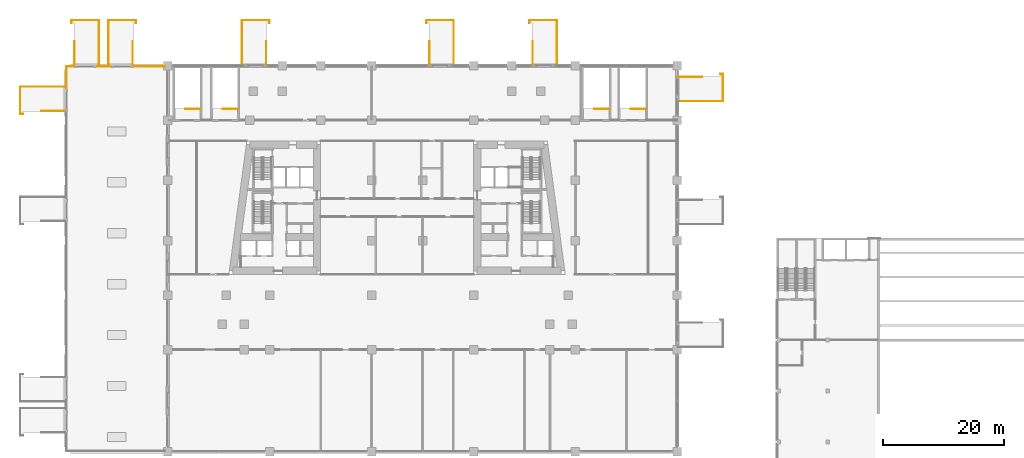
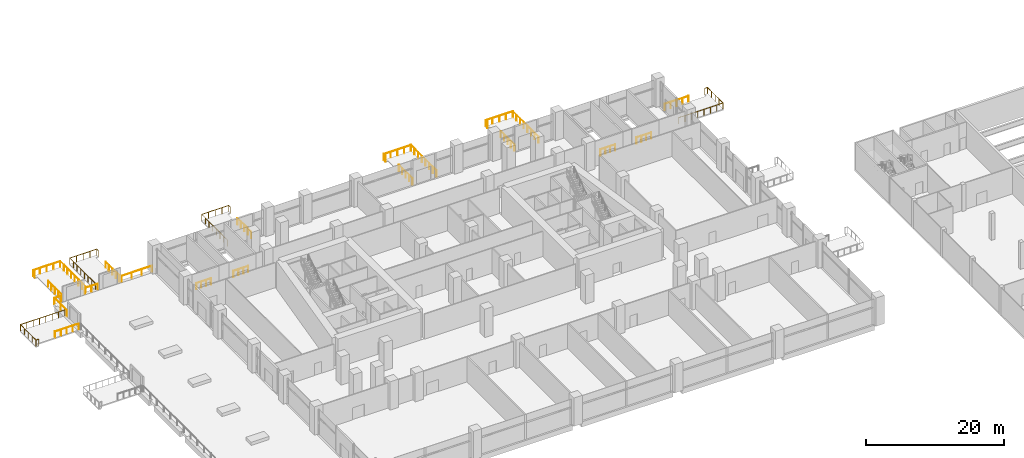
# One storey, part 31 of 33: 21 railings.
"""IFC4 building model written with IfcOpenShell, lengths in metres."""

from ifc_helpers import new_model, si_unit, direction, frame, origin, origin_2d, place, context, subcontext, project, spatial, circle, extrude, material, type_object, element, save


model = new_model("IFC4")

# Units and contexts
model_context = context("Model", 3, precision=1e-05, world=origin(), true_north=direction((0.0, 1.0)))
body_context = subcontext(model_context, "Body", "Model", "MODEL_VIEW")
ifc_project = project(units=[si_unit("LENGTHUNIT", "METRE"), si_unit("AREAUNIT", "SQUARE_METRE"), si_unit("VOLUMEUNIT", "CUBIC_METRE"), si_unit("PLANEANGLEUNIT", "RADIAN"), si_unit("MASSUNIT", "GRAM", prefix="KILO")], contexts=[model_context])

# Site, building, storey
site_placement = place(None, origin())
site = spatial("IfcSite", under=ifc_project, at=site_placement, CompositionType="ELEMENT")
building_placement = place(site_placement, origin())
building = spatial("IfcBuilding", under=site, at=building_placement, Name="Candeia Pilgrim Tower and Theatre", CompositionType="ELEMENT")
storey_placement = place(building_placement, frame((0.0, 0.0, 29.0)))
storey = spatial("IfcBuildingStorey", under=building, at=storey_placement, Name="L04", CompositionType="ELEMENT", Elevation=29.0)

# Railings
ifc_material = material(Name="Stainless steel balustrade", Category="steel")
railing_type_1 = type_object("IfcRailingType", Name="G1 loggia guard 1100", PredefinedType="GUARDRAIL", material=ifc_material)
railing_1_placement = place(storey_placement, frame((58.919921875, 141.10009765625, 0.0)))
element("IfcRailing", 1, at=railing_1_placement, inside=storey, type_object=railing_type_1, Name="Terrace guard L04.5", PredefinedType="GUARDRAIL", context=body_context, shape_type="SweptSolid", body=[
    extrude(circle(Radius=0.02392578125, at=origin_2d()), frame((0.0, 0.0, 1.076171875), z_axis=(0.0, 1.0, 0.0), x_axis=(-1.0, 0.0, 0.0)), (0.0, 0.0, 1.0), 3.579833984375),
    extrude(circle(Radius=0.02392578125, at=origin_2d()), frame((0.0, 3.579833984375, 1.076171875), z_axis=(1.0, 0.0, 0.0), x_axis=(0.0, 1.0, 0.0)), (0.0, 0.0, 1.0), 1.080078125),
    extrude(circle(Radius=0.02099609375, at=origin_2d()), origin(), (0.0, 0.0, 1.0), 1.052001953125),
    extrude(circle(Radius=0.02099609375, at=origin_2d()), frame((0.0, 1.7900390625, 0.0)), (0.0, 0.0, 1.0), 1.052001953125),
    extrude(circle(Radius=0.02099609375, at=origin_2d()), frame((0.0, 3.579833984375, 0.0)), (0.0, 0.0, 1.0), 1.052001953125),
    extrude(circle(Radius=0.02099609375, at=origin_2d()), frame((1.080078125, 3.579833984375, 0.0)), (0.0, 0.0, 1.0), 1.052001953125),
])
railing_2_placement = place(storey_placement, frame((64.0, 144.679931640625, 0.0)))
element("IfcRailing", 2, at=railing_2_placement, inside=storey, type_object=railing_type_1, Name="Terrace guard L04.6", PredefinedType="GUARDRAIL", context=body_context, shape_type="SweptSolid", body=[
    extrude(circle(Radius=0.02392578125, at=origin_2d()), frame((0.0, 0.0, 1.076171875), z_axis=(1.0, 0.0, 0.0), x_axis=(0.0, 1.0, 0.0)), (0.0, 0.0, 1.0), 2.10009765625),
    extrude(circle(Radius=0.02099609375, at=origin_2d()), origin(), (0.0, 0.0, 1.0), 1.052001953125),
    extrude(circle(Radius=0.02099609375, at=origin_2d()), frame((1.050048828125, 0.0, 0.0)), (0.0, 0.0, 1.0), 1.052001953125),
    extrude(circle(Radius=0.02099609375, at=origin_2d()), frame((2.10009765625, 0.0, 0.0)), (0.0, 0.0, 1.0), 1.052001953125),
])
railing_3_placement = place(storey_placement, frame((70.10009765625, 144.679931640625, 0.0)))
element("IfcRailing", 3, at=railing_3_placement, inside=storey, type_object=railing_type_1, Name="Terrace guard L04.7", PredefinedType="GUARDRAIL", context=body_context, shape_type="SweptSolid", body=[
    extrude(circle(Radius=0.02392578125, at=origin_2d()), frame((0.0, 0.0, 1.076171875), z_axis=(1.0, 0.0, 0.0), x_axis=(0.0, 1.0, 0.0)), (0.0, 0.0, 1.0), 5.0498046875),
    extrude(circle(Radius=0.02099609375, at=origin_2d()), origin(), (0.0, 0.0, 1.0), 1.052001953125),
    extrude(circle(Radius=0.02099609375, at=origin_2d()), frame((1.683349609375, 0.0, 0.0)), (0.0, 0.0, 1.0), 1.052001953125),
    extrude(circle(Radius=0.02099609375, at=origin_2d()), frame((3.366455078125, 0.0, 0.0)), (0.0, 0.0, 1.0), 1.052001953125),
    extrude(circle(Radius=0.02099609375, at=origin_2d()), frame((5.0498046875, 0.0, 0.0)), (0.0, 0.0, 1.0), 1.052001953125),
])
railing_type_2 = type_object("IfcRailingType", Name="RL-GUARD-1100", PredefinedType="GUARDRAIL", material=ifc_material)
railing_4_placement = place(storey_placement, frame((80.97509765625, 137.675048828125, 0.0)))
element("IfcRailing", 4, at=railing_4_placement, inside=storey, type_object=railing_type_2, Name="L04 PS1 top well guard 1", PredefinedType="GUARDRAIL", context=body_context, shape_type="SweptSolid", body=[
    extrude(circle(Radius=0.02392578125, at=origin_2d()), frame((0.0, 0.0, 1.076171875), z_axis=(-1.0, 0.0, 0.0), x_axis=(0.0, -1.0, 0.0)), (0.0, 0.0, 1.0), 2.4501953125),
    extrude(circle(Radius=0.02099609375, at=origin_2d()), origin(), (0.0, 0.0, 1.0), 1.052001953125),
    extrude(circle(Radius=0.02099609375, at=origin_2d()), frame((-0.816650390625, 0.0, 0.0)), (0.0, 0.0, 1.0), 1.052001953125),
    extrude(circle(Radius=0.02099609375, at=origin_2d()), frame((-1.633544921875, 0.0, 0.0)), (0.0, 0.0, 1.0), 1.052001953125),
    extrude(circle(Radius=0.02099609375, at=origin_2d()), frame((-2.4501953125, 0.0, 0.0)), (0.0, 0.0, 1.0), 1.052001953125),
])
for number, where, name in (
    (5, (87.175048828125, 137.675048828125, 0.0), "L04 PS2 top well guard 1"),
    (6, (148.375, 137.675048828125, 0.0), "L04 PS3 top well guard 1"),
    (7, (154.375, 137.675048828125, 0.0), "L04 PS4 top well guard 1"),
):
    element("IfcRailing", number, at=place(storey_placement, frame(where)), inside=storey, type_object=railing_type_2, Name=name, PredefinedType="GUARDRAIL", context=body_context, shape_type="SweptSolid", body=[
        extrude(circle(Radius=0.02392578125, at=origin_2d()), frame((0.0, 0.0, 1.076171875), z_axis=(-1.0, 0.0, 0.0), x_axis=(0.0, -1.0, 0.0)), (0.0, 0.0, 1.0), 2.449951171875),
        extrude(circle(Radius=0.02099609375, at=origin_2d()), origin(), (0.0, 0.0, 1.0), 1.052001953125),
        extrude(circle(Radius=0.02099609375, at=origin_2d()), frame((-0.816650390625, 0.0, 0.0)), (0.0, 0.0, 1.0), 1.052001953125),
        extrude(circle(Radius=0.02099609375, at=origin_2d()), frame((-1.63330078125, 0.0, 0.0)), (0.0, 0.0, 1.0), 1.052001953125),
        extrude(circle(Radius=0.02099609375, at=origin_2d()), frame((-2.449951171875, 0.0, 0.0)), (0.0, 0.0, 1.0), 1.052001953125),
    ])
railing_5_placement = place(storey_placement, frame((159.699951171875, 138.949951171875, 0.0)))
element("IfcRailing", 8, at=railing_5_placement, inside=storey, type_object=railing_type_2, Name="L04 External escape stair ES2 landing guard", PredefinedType="GUARDRAIL", context=body_context, shape_type="SweptSolid", body=[
    extrude(circle(Radius=0.02392578125, at=origin_2d()), frame((0.0, 0.0, 1.076171875), z_axis=(1.0, 0.0, 0.0), x_axis=(0.0, 1.0, 0.0)), (0.0, 0.0, 1.0), 7.400146484375),
    extrude(circle(Radius=0.02392578125, at=origin_2d()), frame((7.400146484375, 0.0, 1.076171875), z_axis=(0.0, 1.0, 0.0), x_axis=(-1.0, 0.0, 0.0)), (0.0, 0.0, 1.0), 4.5),
    extrude(circle(Radius=0.02392578125, at=origin_2d()), frame((7.400146484375, 4.5, 1.076171875), z_axis=(-1.0, 0.0, 0.0), x_axis=(0.0, -1.0, 0.0)), (0.0, 0.0, 1.0), 0.4501953125),
    extrude(circle(Radius=0.02099609375, at=origin_2d()), origin(), (0.0, 0.0, 1.0), 1.052001953125),
    extrude(circle(Radius=0.02099609375, at=origin_2d()), frame((1.05712890625, 0.0, 0.0)), (0.0, 0.0, 1.0), 1.052001953125),
    extrude(circle(Radius=0.02099609375, at=origin_2d()), frame((2.1142578125, 0.0, 0.0)), (0.0, 0.0, 1.0), 1.052001953125),
    extrude(circle(Radius=0.02099609375, at=origin_2d()), frame((3.17138671875, 0.0, 0.0)), (0.0, 0.0, 1.0), 1.052001953125),
    extrude(circle(Radius=0.02099609375, at=origin_2d()), frame((4.228759765625, 0.0, 0.0)), (0.0, 0.0, 1.0), 1.052001953125),
    extrude(circle(Radius=0.02099609375, at=origin_2d()), frame((5.285888671875, 0.0, 0.0)), (0.0, 0.0, 1.0), 1.052001953125),
    extrude(circle(Radius=0.02099609375, at=origin_2d()), frame((6.343017578125, 0.0, 0.0)), (0.0, 0.0, 1.0), 1.052001953125),
    extrude(circle(Radius=0.02099609375, at=origin_2d()), frame((7.400146484375, 0.0, 0.0)), (0.0, 0.0, 1.0), 1.052001953125),
    extrude(circle(Radius=0.02099609375, at=origin_2d()), frame((7.400146484375, 1.125, 0.0)), (0.0, 0.0, 1.0), 1.052001953125),
    extrude(circle(Radius=0.02099609375, at=origin_2d()), frame((7.400146484375, 2.25, 0.0)), (0.0, 0.0, 1.0), 1.052001953125),
    extrude(circle(Radius=0.02099609375, at=origin_2d()), frame((7.400146484375, 3.375, 0.0)), (0.0, 0.0, 1.0), 1.052001953125),
    extrude(circle(Radius=0.02099609375, at=origin_2d()), frame((7.400146484375, 4.5, 0.0)), (0.0, 0.0, 1.0), 1.052001953125),
    extrude(circle(Radius=0.02099609375, at=origin_2d()), frame((6.949951171875, 4.5, 0.0)), (0.0, 0.0, 1.0), 1.052001953125),
])
railing_6_placement = place(storey_placement, frame((159.699951171875, 142.949951171875, 0.0)))
element("IfcRailing", 9, at=railing_6_placement, inside=storey, type_object=railing_type_2, Name="L04 External escape stair ES2 top guard", PredefinedType="GUARDRAIL", context=body_context, shape_type="SweptSolid", body=[
    extrude(circle(Radius=0.02392578125, at=origin_2d()), frame((0.0, 0.0, 1.076171875), z_axis=(1.0, 0.0, 0.0), x_axis=(0.0, 1.0, 0.0)), (0.0, 0.0, 1.0), 3.949951171875),
    extrude(circle(Radius=0.02099609375, at=origin_2d()), origin(), (0.0, 0.0, 1.0), 1.052001953125),
    extrude(circle(Radius=0.02099609375, at=origin_2d()), frame((0.987548828125, 0.0, 0.0)), (0.0, 0.0, 1.0), 1.052001953125),
    extrude(circle(Radius=0.02099609375, at=origin_2d()), frame((1.97509765625, 0.0, 0.0)), (0.0, 0.0, 1.0), 1.052001953125),
    extrude(circle(Radius=0.02099609375, at=origin_2d()), frame((2.96240234375, 0.0, 0.0)), (0.0, 0.0, 1.0), 1.052001953125),
    extrude(circle(Radius=0.02099609375, at=origin_2d()), frame((3.949951171875, 0.0, 0.0)), (0.0, 0.0, 1.0), 1.052001953125),
])
railing_7_placement = place(storey_placement, frame((64.25, 144.89990234375, 0.0)))
element("IfcRailing", 10, at=railing_7_placement, inside=storey, type_object=railing_type_2, Name="L04 External escape stair ES3 landing guard", PredefinedType="GUARDRAIL", context=body_context, shape_type="SweptSolid", body=[
    extrude(circle(Radius=0.02392578125, at=origin_2d()), frame((0.0, 0.0, 1.076171875), z_axis=(0.0, 1.0, 0.0), x_axis=(-1.0, 0.0, 0.0)), (0.0, 0.0, 1.0), 7.400146484375),
    extrude(circle(Radius=0.02392578125, at=origin_2d()), frame((0.0, 7.400146484375, 1.076171875), z_axis=(-1.0, 0.0, 0.0), x_axis=(0.0, -1.0, 0.0)), (0.0, 0.0, 1.0), 4.5),
    extrude(circle(Radius=0.02392578125, at=origin_2d()), frame((-4.5, 7.400146484375, 1.076171875), z_axis=(0.0, -1.0, 0.0), x_axis=(1.0, 0.0, 0.0)), (0.0, 0.0, 1.0), 0.449951171875),
    extrude(circle(Radius=0.02099609375, at=origin_2d()), origin(), (0.0, 0.0, 1.0), 1.052001953125),
    extrude(circle(Radius=0.02099609375, at=origin_2d()), frame((0.0, 1.05712890625, 0.0)), (0.0, 0.0, 1.0), 1.052001953125),
    extrude(circle(Radius=0.02099609375, at=origin_2d()), frame((0.0, 2.1142578125, 0.0)), (0.0, 0.0, 1.0), 1.052001953125),
    extrude(circle(Radius=0.02099609375, at=origin_2d()), frame((0.0, 3.17138671875, 0.0)), (0.0, 0.0, 1.0), 1.052001953125),
    extrude(circle(Radius=0.02099609375, at=origin_2d()), frame((0.0, 4.228759765625, 0.0)), (0.0, 0.0, 1.0), 1.052001953125),
    extrude(circle(Radius=0.02099609375, at=origin_2d()), frame((0.0, 5.285888671875, 0.0)), (0.0, 0.0, 1.0), 1.052001953125),
    extrude(circle(Radius=0.02099609375, at=origin_2d()), frame((0.0, 6.343017578125, 0.0)), (0.0, 0.0, 1.0), 1.052001953125),
    extrude(circle(Radius=0.02099609375, at=origin_2d()), frame((0.0, 7.400146484375, 0.0)), (0.0, 0.0, 1.0), 1.052001953125),
    extrude(circle(Radius=0.02099609375, at=origin_2d()), frame((-1.125, 7.400146484375, 0.0)), (0.0, 0.0, 1.0), 1.052001953125),
    extrude(circle(Radius=0.02099609375, at=origin_2d()), frame((-2.25, 7.400146484375, 0.0)), (0.0, 0.0, 1.0), 1.052001953125),
    extrude(circle(Radius=0.02099609375, at=origin_2d()), frame((-3.375, 7.400146484375, 0.0)), (0.0, 0.0, 1.0), 1.052001953125),
    extrude(circle(Radius=0.02099609375, at=origin_2d()), frame((-4.5, 7.400146484375, 0.0)), (0.0, 0.0, 1.0), 1.052001953125),
    extrude(circle(Radius=0.02099609375, at=origin_2d()), frame((-4.5, 6.9501953125, 0.0)), (0.0, 0.0, 1.0), 1.052001953125),
])
railing_8_placement = place(storey_placement, frame((60.25, 144.89990234375, 0.0)))
element("IfcRailing", 11, at=railing_8_placement, inside=storey, type_object=railing_type_2, Name="L04 External escape stair ES3 top guard", PredefinedType="GUARDRAIL", context=body_context, shape_type="SweptSolid", body=[
    extrude(circle(Radius=0.02392578125, at=origin_2d()), frame((0.0, 0.0, 1.076171875), z_axis=(0.0, 1.0, 0.0), x_axis=(-1.0, 0.0, 0.0)), (0.0, 0.0, 1.0), 3.9501953125),
    extrude(circle(Radius=0.02099609375, at=origin_2d()), origin(), (0.0, 0.0, 1.0), 1.052001953125),
    extrude(circle(Radius=0.02099609375, at=origin_2d()), frame((0.0, 0.987548828125, 0.0)), (0.0, 0.0, 1.0), 1.052001953125),
    extrude(circle(Radius=0.02099609375, at=origin_2d()), frame((0.0, 1.97509765625, 0.0)), (0.0, 0.0, 1.0), 1.052001953125),
    extrude(circle(Radius=0.02099609375, at=origin_2d()), frame((0.0, 2.962646484375, 0.0)), (0.0, 0.0, 1.0), 1.052001953125),
    extrude(circle(Radius=0.02099609375, at=origin_2d()), frame((0.0, 3.9501953125, 0.0)), (0.0, 0.0, 1.0), 1.052001953125),
])
railing_9_placement = place(storey_placement, frame((65.85009765625, 144.89990234375, 0.0)))
element("IfcRailing", 12, at=railing_9_placement, inside=storey, type_object=railing_type_2, Name="L04 External escape stair ES4 landing guard", PredefinedType="GUARDRAIL", context=body_context, shape_type="SweptSolid", body=[
    extrude(circle(Radius=0.02392578125, at=origin_2d()), frame((0.0, 0.0, 1.076171875), z_axis=(0.0, 1.0, 0.0), x_axis=(-1.0, 0.0, 0.0)), (0.0, 0.0, 1.0), 7.400146484375),
    extrude(circle(Radius=0.02392578125, at=origin_2d()), frame((0.0, 7.400146484375, 1.076171875), z_axis=(1.0, 0.0, 0.0), x_axis=(0.0, 1.0, 0.0)), (0.0, 0.0, 1.0), 4.5),
    extrude(circle(Radius=0.02392578125, at=origin_2d()), frame((4.5, 7.400146484375, 1.076171875), z_axis=(0.0, -1.0, 0.0), x_axis=(1.0, 0.0, 0.0)), (0.0, 0.0, 1.0), 0.449951171875),
    extrude(circle(Radius=0.02099609375, at=origin_2d()), origin(), (0.0, 0.0, 1.0), 1.052001953125),
    extrude(circle(Radius=0.02099609375, at=origin_2d()), frame((0.0, 1.05712890625, 0.0)), (0.0, 0.0, 1.0), 1.052001953125),
    extrude(circle(Radius=0.02099609375, at=origin_2d()), frame((0.0, 2.1142578125, 0.0)), (0.0, 0.0, 1.0), 1.052001953125),
    extrude(circle(Radius=0.02099609375, at=origin_2d()), frame((0.0, 3.17138671875, 0.0)), (0.0, 0.0, 1.0), 1.052001953125),
    extrude(circle(Radius=0.02099609375, at=origin_2d()), frame((0.0, 4.228759765625, 0.0)), (0.0, 0.0, 1.0), 1.052001953125),
    extrude(circle(Radius=0.02099609375, at=origin_2d()), frame((0.0, 5.285888671875, 0.0)), (0.0, 0.0, 1.0), 1.052001953125),
    extrude(circle(Radius=0.02099609375, at=origin_2d()), frame((0.0, 6.343017578125, 0.0)), (0.0, 0.0, 1.0), 1.052001953125),
    extrude(circle(Radius=0.02099609375, at=origin_2d()), frame((0.0, 7.400146484375, 0.0)), (0.0, 0.0, 1.0), 1.052001953125),
    extrude(circle(Radius=0.02099609375, at=origin_2d()), frame((1.125, 7.400146484375, 0.0)), (0.0, 0.0, 1.0), 1.052001953125),
    extrude(circle(Radius=0.02099609375, at=origin_2d()), frame((2.25, 7.400146484375, 0.0)), (0.0, 0.0, 1.0), 1.052001953125),
    extrude(circle(Radius=0.02099609375, at=origin_2d()), frame((3.375, 7.400146484375, 0.0)), (0.0, 0.0, 1.0), 1.052001953125),
    extrude(circle(Radius=0.02099609375, at=origin_2d()), frame((4.5, 7.400146484375, 0.0)), (0.0, 0.0, 1.0), 1.052001953125),
    extrude(circle(Radius=0.02099609375, at=origin_2d()), frame((4.5, 6.9501953125, 0.0)), (0.0, 0.0, 1.0), 1.052001953125),
])
railing_10_placement = place(storey_placement, frame((69.85009765625, 144.89990234375, 0.0)))
element("IfcRailing", 13, at=railing_10_placement, inside=storey, type_object=railing_type_2, Name="L04 External escape stair ES4 top guard", PredefinedType="GUARDRAIL", context=body_context, shape_type="SweptSolid", body=[
    extrude(circle(Radius=0.02392578125, at=origin_2d()), frame((0.0, 0.0, 1.076171875), z_axis=(0.0, 1.0, 0.0), x_axis=(-1.0, 0.0, 0.0)), (0.0, 0.0, 1.0), 3.9501953125),
    extrude(circle(Radius=0.02099609375, at=origin_2d()), origin(), (0.0, 0.0, 1.0), 1.052001953125),
    extrude(circle(Radius=0.02099609375, at=origin_2d()), frame((0.0, 0.987548828125, 0.0)), (0.0, 0.0, 1.0), 1.052001953125),
    extrude(circle(Radius=0.02099609375, at=origin_2d()), frame((0.0, 1.97509765625, 0.0)), (0.0, 0.0, 1.0), 1.052001953125),
    extrude(circle(Radius=0.02099609375, at=origin_2d()), frame((0.0, 2.962646484375, 0.0)), (0.0, 0.0, 1.0), 1.052001953125),
    extrude(circle(Radius=0.02099609375, at=origin_2d()), frame((0.0, 3.9501953125, 0.0)), (0.0, 0.0, 1.0), 1.052001953125),
])
railing_11_placement = place(storey_placement, frame((87.85009765625, 144.89990234375, 0.0)))
element("IfcRailing", 14, at=railing_11_placement, inside=storey, type_object=railing_type_2, Name="L04 External escape stair ES5 landing guard", PredefinedType="GUARDRAIL", context=body_context, shape_type="SweptSolid", body=[
    extrude(circle(Radius=0.02392578125, at=origin_2d()), frame((0.0, 0.0, 1.076171875), z_axis=(0.0, 1.0, 0.0), x_axis=(-1.0, 0.0, 0.0)), (0.0, 0.0, 1.0), 7.400146484375),
    extrude(circle(Radius=0.02392578125, at=origin_2d()), frame((0.0, 7.400146484375, 1.076171875), z_axis=(1.0, 0.0, 0.0), x_axis=(0.0, 1.0, 0.0)), (0.0, 0.0, 1.0), 4.5),
    extrude(circle(Radius=0.02392578125, at=origin_2d()), frame((4.5, 7.400146484375, 1.076171875), z_axis=(0.0, -1.0, 0.0), x_axis=(1.0, 0.0, 0.0)), (0.0, 0.0, 1.0), 0.449951171875),
    extrude(circle(Radius=0.02099609375, at=origin_2d()), origin(), (0.0, 0.0, 1.0), 1.052001953125),
    extrude(circle(Radius=0.02099609375, at=origin_2d()), frame((0.0, 1.05712890625, 0.0)), (0.0, 0.0, 1.0), 1.052001953125),
    extrude(circle(Radius=0.02099609375, at=origin_2d()), frame((0.0, 2.1142578125, 0.0)), (0.0, 0.0, 1.0), 1.052001953125),
    extrude(circle(Radius=0.02099609375, at=origin_2d()), frame((0.0, 3.17138671875, 0.0)), (0.0, 0.0, 1.0), 1.052001953125),
    extrude(circle(Radius=0.02099609375, at=origin_2d()), frame((0.0, 4.228759765625, 0.0)), (0.0, 0.0, 1.0), 1.052001953125),
    extrude(circle(Radius=0.02099609375, at=origin_2d()), frame((0.0, 5.285888671875, 0.0)), (0.0, 0.0, 1.0), 1.052001953125),
    extrude(circle(Radius=0.02099609375, at=origin_2d()), frame((0.0, 6.343017578125, 0.0)), (0.0, 0.0, 1.0), 1.052001953125),
    extrude(circle(Radius=0.02099609375, at=origin_2d()), frame((0.0, 7.400146484375, 0.0)), (0.0, 0.0, 1.0), 1.052001953125),
    extrude(circle(Radius=0.02099609375, at=origin_2d()), frame((1.125, 7.400146484375, 0.0)), (0.0, 0.0, 1.0), 1.052001953125),
    extrude(circle(Radius=0.02099609375, at=origin_2d()), frame((2.25, 7.400146484375, 0.0)), (0.0, 0.0, 1.0), 1.052001953125),
    extrude(circle(Radius=0.02099609375, at=origin_2d()), frame((3.375, 7.400146484375, 0.0)), (0.0, 0.0, 1.0), 1.052001953125),
    extrude(circle(Radius=0.02099609375, at=origin_2d()), frame((4.5, 7.400146484375, 0.0)), (0.0, 0.0, 1.0), 1.052001953125),
    extrude(circle(Radius=0.02099609375, at=origin_2d()), frame((4.5, 6.9501953125, 0.0)), (0.0, 0.0, 1.0), 1.052001953125),
])
railing_12_placement = place(storey_placement, frame((91.85009765625, 144.89990234375, 0.0)))
element("IfcRailing", 15, at=railing_12_placement, inside=storey, type_object=railing_type_2, Name="L04 External escape stair ES5 top guard", PredefinedType="GUARDRAIL", context=body_context, shape_type="SweptSolid", body=[
    extrude(circle(Radius=0.02392578125, at=origin_2d()), frame((0.0, 0.0, 1.076171875), z_axis=(0.0, 1.0, 0.0), x_axis=(-1.0, 0.0, 0.0)), (0.0, 0.0, 1.0), 3.9501953125),
    extrude(circle(Radius=0.02099609375, at=origin_2d()), origin(), (0.0, 0.0, 1.0), 1.052001953125),
    extrude(circle(Radius=0.02099609375, at=origin_2d()), frame((0.0, 0.987548828125, 0.0)), (0.0, 0.0, 1.0), 1.052001953125),
    extrude(circle(Radius=0.02099609375, at=origin_2d()), frame((0.0, 1.97509765625, 0.0)), (0.0, 0.0, 1.0), 1.052001953125),
    extrude(circle(Radius=0.02099609375, at=origin_2d()), frame((0.0, 2.962646484375, 0.0)), (0.0, 0.0, 1.0), 1.052001953125),
    extrude(circle(Radius=0.02099609375, at=origin_2d()), frame((0.0, 3.9501953125, 0.0)), (0.0, 0.0, 1.0), 1.052001953125),
])
railing_13_placement = place(storey_placement, frame((122.75, 144.89990234375, 0.0)))
element("IfcRailing", 16, at=railing_13_placement, inside=storey, type_object=railing_type_2, Name="L04 External escape stair ES6 landing guard", PredefinedType="GUARDRAIL", context=body_context, shape_type="SweptSolid", body=[
    extrude(circle(Radius=0.02392578125, at=origin_2d()), frame((0.0, 0.0, 1.076171875), z_axis=(0.0, 1.0, 0.0), x_axis=(-1.0, 0.0, 0.0)), (0.0, 0.0, 1.0), 7.400146484375),
    extrude(circle(Radius=0.02392578125, at=origin_2d()), frame((0.0, 7.400146484375, 1.076171875), z_axis=(-1.0, 0.0, 0.0), x_axis=(0.0, -1.0, 0.0)), (0.0, 0.0, 1.0), 4.5),
    extrude(circle(Radius=0.02392578125, at=origin_2d()), frame((-4.5, 7.400146484375, 1.076171875), z_axis=(0.0, -1.0, 0.0), x_axis=(1.0, 0.0, 0.0)), (0.0, 0.0, 1.0), 0.449951171875),
    extrude(circle(Radius=0.02099609375, at=origin_2d()), origin(), (0.0, 0.0, 1.0), 1.052001953125),
    extrude(circle(Radius=0.02099609375, at=origin_2d()), frame((0.0, 1.05712890625, 0.0)), (0.0, 0.0, 1.0), 1.052001953125),
    extrude(circle(Radius=0.02099609375, at=origin_2d()), frame((0.0, 2.1142578125, 0.0)), (0.0, 0.0, 1.0), 1.052001953125),
    extrude(circle(Radius=0.02099609375, at=origin_2d()), frame((0.0, 3.17138671875, 0.0)), (0.0, 0.0, 1.0), 1.052001953125),
    extrude(circle(Radius=0.02099609375, at=origin_2d()), frame((0.0, 4.228759765625, 0.0)), (0.0, 0.0, 1.0), 1.052001953125),
    extrude(circle(Radius=0.02099609375, at=origin_2d()), frame((0.0, 5.285888671875, 0.0)), (0.0, 0.0, 1.0), 1.052001953125),
    extrude(circle(Radius=0.02099609375, at=origin_2d()), frame((0.0, 6.343017578125, 0.0)), (0.0, 0.0, 1.0), 1.052001953125),
    extrude(circle(Radius=0.02099609375, at=origin_2d()), frame((0.0, 7.400146484375, 0.0)), (0.0, 0.0, 1.0), 1.052001953125),
    extrude(circle(Radius=0.02099609375, at=origin_2d()), frame((-1.125, 7.400146484375, 0.0)), (0.0, 0.0, 1.0), 1.052001953125),
    extrude(circle(Radius=0.02099609375, at=origin_2d()), frame((-2.25, 7.400146484375, 0.0)), (0.0, 0.0, 1.0), 1.052001953125),
    extrude(circle(Radius=0.02099609375, at=origin_2d()), frame((-3.375, 7.400146484375, 0.0)), (0.0, 0.0, 1.0), 1.052001953125),
    extrude(circle(Radius=0.02099609375, at=origin_2d()), frame((-4.5, 7.400146484375, 0.0)), (0.0, 0.0, 1.0), 1.052001953125),
    extrude(circle(Radius=0.02099609375, at=origin_2d()), frame((-4.5, 6.9501953125, 0.0)), (0.0, 0.0, 1.0), 1.052001953125),
])
railing_14_placement = place(storey_placement, frame((118.75, 144.89990234375, 0.0)))
element("IfcRailing", 17, at=railing_14_placement, inside=storey, type_object=railing_type_2, Name="L04 External escape stair ES6 top guard", PredefinedType="GUARDRAIL", context=body_context, shape_type="SweptSolid", body=[
    extrude(circle(Radius=0.02392578125, at=origin_2d()), frame((0.0, 0.0, 1.076171875), z_axis=(0.0, 1.0, 0.0), x_axis=(-1.0, 0.0, 0.0)), (0.0, 0.0, 1.0), 3.9501953125),
    extrude(circle(Radius=0.02099609375, at=origin_2d()), origin(), (0.0, 0.0, 1.0), 1.052001953125),
    extrude(circle(Radius=0.02099609375, at=origin_2d()), frame((0.0, 0.987548828125, 0.0)), (0.0, 0.0, 1.0), 1.052001953125),
    extrude(circle(Radius=0.02099609375, at=origin_2d()), frame((0.0, 1.97509765625, 0.0)), (0.0, 0.0, 1.0), 1.052001953125),
    extrude(circle(Radius=0.02099609375, at=origin_2d()), frame((0.0, 2.962646484375, 0.0)), (0.0, 0.0, 1.0), 1.052001953125),
    extrude(circle(Radius=0.02099609375, at=origin_2d()), frame((0.0, 3.9501953125, 0.0)), (0.0, 0.0, 1.0), 1.052001953125),
])
railing_15_placement = place(storey_placement, frame((139.75, 144.89990234375, 0.0)))
element("IfcRailing", 18, at=railing_15_placement, inside=storey, type_object=railing_type_2, Name="L04 External escape stair ES7 landing guard", PredefinedType="GUARDRAIL", context=body_context, shape_type="SweptSolid", body=[
    extrude(circle(Radius=0.02392578125, at=origin_2d()), frame((0.0, 0.0, 1.076171875), z_axis=(0.0, 1.0, 0.0), x_axis=(-1.0, 0.0, 0.0)), (0.0, 0.0, 1.0), 7.400146484375),
    extrude(circle(Radius=0.02392578125, at=origin_2d()), frame((0.0, 7.400146484375, 1.076171875), z_axis=(-1.0, 0.0, 0.0), x_axis=(0.0, -1.0, 0.0)), (0.0, 0.0, 1.0), 4.5),
    extrude(circle(Radius=0.02392578125, at=origin_2d()), frame((-4.5, 7.400146484375, 1.076171875), z_axis=(0.0, -1.0, 0.0), x_axis=(1.0, 0.0, 0.0)), (0.0, 0.0, 1.0), 0.449951171875),
    extrude(circle(Radius=0.02099609375, at=origin_2d()), origin(), (0.0, 0.0, 1.0), 1.052001953125),
    extrude(circle(Radius=0.02099609375, at=origin_2d()), frame((0.0, 1.05712890625, 0.0)), (0.0, 0.0, 1.0), 1.052001953125),
    extrude(circle(Radius=0.02099609375, at=origin_2d()), frame((0.0, 2.1142578125, 0.0)), (0.0, 0.0, 1.0), 1.052001953125),
    extrude(circle(Radius=0.02099609375, at=origin_2d()), frame((0.0, 3.17138671875, 0.0)), (0.0, 0.0, 1.0), 1.052001953125),
    extrude(circle(Radius=0.02099609375, at=origin_2d()), frame((0.0, 4.228759765625, 0.0)), (0.0, 0.0, 1.0), 1.052001953125),
    extrude(circle(Radius=0.02099609375, at=origin_2d()), frame((0.0, 5.285888671875, 0.0)), (0.0, 0.0, 1.0), 1.052001953125),
    extrude(circle(Radius=0.02099609375, at=origin_2d()), frame((0.0, 6.343017578125, 0.0)), (0.0, 0.0, 1.0), 1.052001953125),
    extrude(circle(Radius=0.02099609375, at=origin_2d()), frame((0.0, 7.400146484375, 0.0)), (0.0, 0.0, 1.0), 1.052001953125),
    extrude(circle(Radius=0.02099609375, at=origin_2d()), frame((-1.125, 7.400146484375, 0.0)), (0.0, 0.0, 1.0), 1.052001953125),
    extrude(circle(Radius=0.02099609375, at=origin_2d()), frame((-2.25, 7.400146484375, 0.0)), (0.0, 0.0, 1.0), 1.052001953125),
    extrude(circle(Radius=0.02099609375, at=origin_2d()), frame((-3.375, 7.400146484375, 0.0)), (0.0, 0.0, 1.0), 1.052001953125),
    extrude(circle(Radius=0.02099609375, at=origin_2d()), frame((-4.5, 7.400146484375, 0.0)), (0.0, 0.0, 1.0), 1.052001953125),
    extrude(circle(Radius=0.02099609375, at=origin_2d()), frame((-4.5, 6.9501953125, 0.0)), (0.0, 0.0, 1.0), 1.052001953125),
])
railing_16_placement = place(storey_placement, frame((135.75, 144.89990234375, 0.0)))
element("IfcRailing", 19, at=railing_16_placement, inside=storey, type_object=railing_type_2, Name="L04 External escape stair ES7 top guard", PredefinedType="GUARDRAIL", context=body_context, shape_type="SweptSolid", body=[
    extrude(circle(Radius=0.02392578125, at=origin_2d()), frame((0.0, 0.0, 1.076171875), z_axis=(0.0, 1.0, 0.0), x_axis=(-1.0, 0.0, 0.0)), (0.0, 0.0, 1.0), 3.9501953125),
    extrude(circle(Radius=0.02099609375, at=origin_2d()), origin(), (0.0, 0.0, 1.0), 1.052001953125),
    extrude(circle(Radius=0.02099609375, at=origin_2d()), frame((0.0, 0.987548828125, 0.0)), (0.0, 0.0, 1.0), 1.052001953125),
    extrude(circle(Radius=0.02099609375, at=origin_2d()), frame((0.0, 1.97509765625, 0.0)), (0.0, 0.0, 1.0), 1.052001953125),
    extrude(circle(Radius=0.02099609375, at=origin_2d()), frame((0.0, 2.962646484375, 0.0)), (0.0, 0.0, 1.0), 1.052001953125),
    extrude(circle(Radius=0.02099609375, at=origin_2d()), frame((0.0, 3.9501953125, 0.0)), (0.0, 0.0, 1.0), 1.052001953125),
])
railing_17_placement = place(storey_placement, frame((58.699951171875, 141.35009765625, 0.0)))
element("IfcRailing", 20, at=railing_17_placement, inside=storey, type_object=railing_type_2, Name="L04 External escape stair ES13 landing guard", PredefinedType="GUARDRAIL", context=body_context, shape_type="SweptSolid", body=[
    extrude(circle(Radius=0.02392578125, at=origin_2d()), frame((0.0, 0.0, 1.076171875), z_axis=(-1.0, 0.0, 0.0), x_axis=(0.0, -1.0, 0.0)), (0.0, 0.0, 1.0), 7.39990234375),
    extrude(circle(Radius=0.02392578125, at=origin_2d()), frame((-7.39990234375, 0.0, 1.076171875), z_axis=(0.0, -1.0, 0.0), x_axis=(1.0, 0.0, 0.0)), (0.0, 0.0, 1.0), 4.5),
    extrude(circle(Radius=0.02392578125, at=origin_2d()), frame((-7.39990234375, -4.5, 1.076171875), z_axis=(1.0, 0.0, 0.0), x_axis=(0.0, 1.0, 0.0)), (0.0, 0.0, 1.0), 0.449951171875),
    extrude(circle(Radius=0.02099609375, at=origin_2d()), origin(), (0.0, 0.0, 1.0), 1.052001953125),
    extrude(circle(Radius=0.02099609375, at=origin_2d()), frame((-1.05712890625, 0.0, 0.0)), (0.0, 0.0, 1.0), 1.052001953125),
    extrude(circle(Radius=0.02099609375, at=origin_2d()), frame((-2.1142578125, 0.0, 0.0)), (0.0, 0.0, 1.0), 1.052001953125),
    extrude(circle(Radius=0.02099609375, at=origin_2d()), frame((-3.17138671875, 0.0, 0.0)), (0.0, 0.0, 1.0), 1.052001953125),
    extrude(circle(Radius=0.02099609375, at=origin_2d()), frame((-4.228515625, 0.0, 0.0)), (0.0, 0.0, 1.0), 1.052001953125),
    extrude(circle(Radius=0.02099609375, at=origin_2d()), frame((-5.28564453125, 0.0, 0.0)), (0.0, 0.0, 1.0), 1.052001953125),
    extrude(circle(Radius=0.02099609375, at=origin_2d()), frame((-6.3427734375, 0.0, 0.0)), (0.0, 0.0, 1.0), 1.052001953125),
    extrude(circle(Radius=0.02099609375, at=origin_2d()), frame((-7.39990234375, 0.0, 0.0)), (0.0, 0.0, 1.0), 1.052001953125),
    extrude(circle(Radius=0.02099609375, at=origin_2d()), frame((-7.39990234375, -1.125, 0.0)), (0.0, 0.0, 1.0), 1.052001953125),
    extrude(circle(Radius=0.02099609375, at=origin_2d()), frame((-7.39990234375, -2.25, 0.0)), (0.0, 0.0, 1.0), 1.052001953125),
    extrude(circle(Radius=0.02099609375, at=origin_2d()), frame((-7.39990234375, -3.375, 0.0)), (0.0, 0.0, 1.0), 1.052001953125),
    extrude(circle(Radius=0.02099609375, at=origin_2d()), frame((-7.39990234375, -4.5, 0.0)), (0.0, 0.0, 1.0), 1.052001953125),
    extrude(circle(Radius=0.02099609375, at=origin_2d()), frame((-6.949951171875, -4.5, 0.0)), (0.0, 0.0, 1.0), 1.052001953125),
])
railing_18_placement = place(storey_placement, frame((58.699951171875, 137.35009765625, 0.0)))
element("IfcRailing", 21, at=railing_18_placement, inside=storey, type_object=railing_type_2, Name="L04 External escape stair ES13 top guard", PredefinedType="GUARDRAIL", context=body_context, shape_type="SweptSolid", body=[
    extrude(circle(Radius=0.02392578125, at=origin_2d()), frame((0.0, 0.0, 1.076171875), z_axis=(-1.0, 0.0, 0.0), x_axis=(0.0, -1.0, 0.0)), (0.0, 0.0, 1.0), 3.949951171875),
    extrude(circle(Radius=0.02099609375, at=origin_2d()), origin(), (0.0, 0.0, 1.0), 1.052001953125),
    extrude(circle(Radius=0.02099609375, at=origin_2d()), frame((-0.987548828125, 0.0, 0.0)), (0.0, 0.0, 1.0), 1.052001953125),
    extrude(circle(Radius=0.02099609375, at=origin_2d()), frame((-1.97509765625, 0.0, 0.0)), (0.0, 0.0, 1.0), 1.052001953125),
    extrude(circle(Radius=0.02099609375, at=origin_2d()), frame((-2.96240234375, 0.0, 0.0)), (0.0, 0.0, 1.0), 1.052001953125),
    extrude(circle(Radius=0.02099609375, at=origin_2d()), frame((-3.949951171875, 0.0, 0.0)), (0.0, 0.0, 1.0), 1.052001953125),
])

save(model, "model.ifc")
